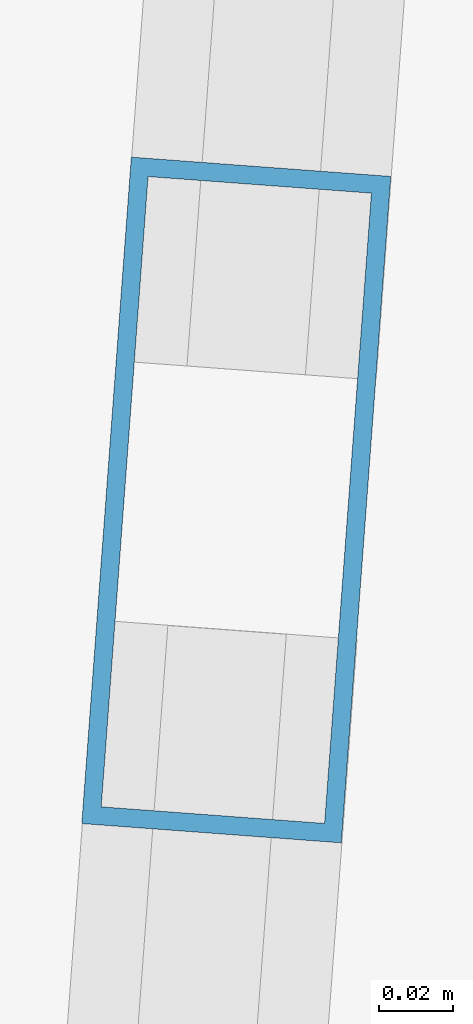
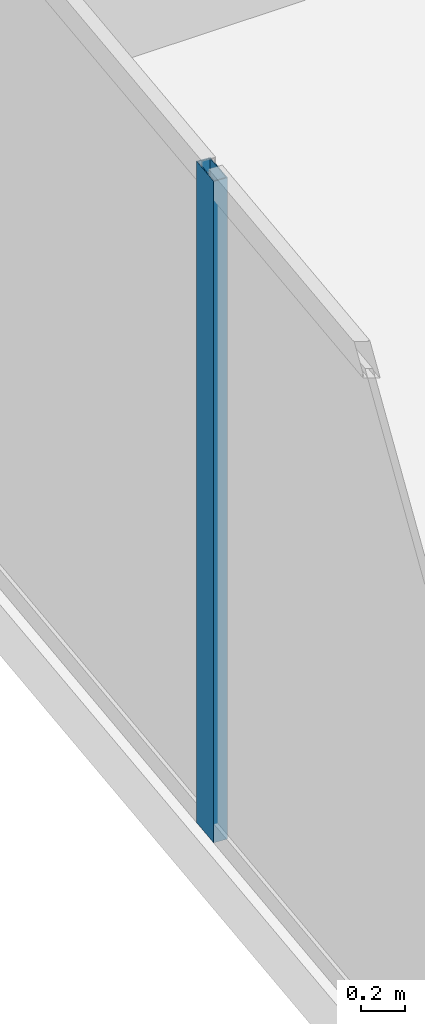
# One storey, part 4 of 30: 1 member, 1 element without a shape of its own.
"""IFC4 building model written with IfcOpenShell, lengths in metres."""

from ifc_helpers import new_model, si_unit, direction, frame, origin, origin_2d, place, context, subcontext, project, spatial, hollow_rectangle, extrude, source, transform, mapped, material, material_profile, profile_set, type_object, type_shapes, element, aggregate, save


model = new_model("IFC4")

# Units and contexts
model_context = context("Model", 3, precision=1e-05, world=origin(), true_north=direction((0.0, 1.0)))
body_context = subcontext(model_context, "Body", "Model", "MODEL_VIEW")
ifc_project = project(units=[si_unit("LENGTHUNIT", "METRE"), si_unit("AREAUNIT", "SQUARE_METRE"), si_unit("VOLUMEUNIT", "CUBIC_METRE"), si_unit("PLANEANGLEUNIT", "RADIAN"), si_unit("MASSUNIT", "GRAM", prefix="KILO")], contexts=[model_context])

# Site, building, storey
site_placement = place(None, origin())
site = spatial("IfcSite", under=ifc_project, at=site_placement, CompositionType="ELEMENT")
building_placement = place(site_placement, origin())
building = spatial("IfcBuilding", under=site, at=building_placement, Name="Krantzveldt Concourse Tower", CompositionType="ELEMENT")
storey_placement = place(building_placement, frame((0.0, 0.0, 52.64990234375)))
storey = spatial("IfcBuildingStorey", under=building, at=storey_placement, Name="L12", CompositionType="ELEMENT", Elevation=52.64990234375)

# Curtain wall, member
ifc_material = material(Name="Anodised aluminium 6063-T6", Category="aluminium")
curtain_wall_type = type_object("IfcCurtainWallType", Name="CW2", PredefinedType="USERDEFINED", material=ifc_material)
curtain_wall_placement = place(storey_placement, origin())
curtain_wall = element("IfcCurtainWall", 1, at=curtain_wall_placement, inside=storey, type_object=curtain_wall_type, Name="CW-L12-F01", ObjectType="UNITISED CURTAIN WALL", PredefinedType="USERDEFINED")
ifc_material_profile = material_profile(ifc_material, hollow_rectangle(XDim=0.070068359375, YDim=0.179931640625, WallThickness=0.0048828125, at=origin_2d()), Name="Anodised aluminium 6063-T6", Category="aluminium")
ifc_profile_set = profile_set([ifc_material_profile], Name="Anodised aluminium 6063-T6 - ALU-MULL 180x70x5")
member_type = type_object("IfcMemberType", Name="CW-MUL-180", PredefinedType="MULLION", material=ifc_profile_set)
shared_shape = source(origin(), body_context, "Body", "SweptSolid", [
    extrude(hollow_rectangle(XDim=0.070068359375, YDim=0.179931640625, WallThickness=0.0048828125, at=origin_2d()), origin(), (0.0, 0.0, 1.0), 3.670166015625),
])
type_shapes(member_type, [shared_shape])
member_placement = place(storey_placement, frame((10.09619140625, 14.252197265625, 0.0), z_axis=(0.0, 0.0, 1.0), x_axis=(0.997250176902, -0.07410860051, 0.0)))
member = element("IfcMember", 2, at=member_placement, type_object=member_type, Name="CW-Z12 mullion 6", PredefinedType="MULLION", context=body_context, shape_type="MappedRepresentation", body=[
    mapped(shared_shape, transform((0.0, 0.0, 0.0), x_axis=(1.0, 0.0, 0.0), y_axis=(0.0, 1.0, 0.0), z_axis=(0.0, 0.0, 1.0), scale=1.0)),
])
aggregate(curtain_wall, [member])

save(model, "model.ifc")
